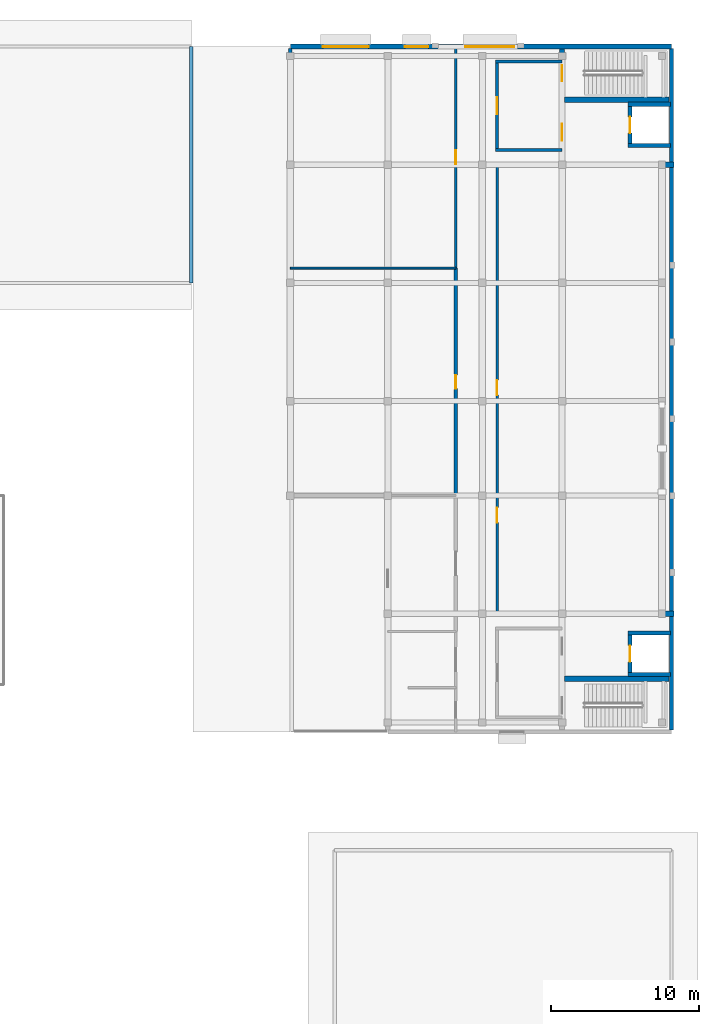
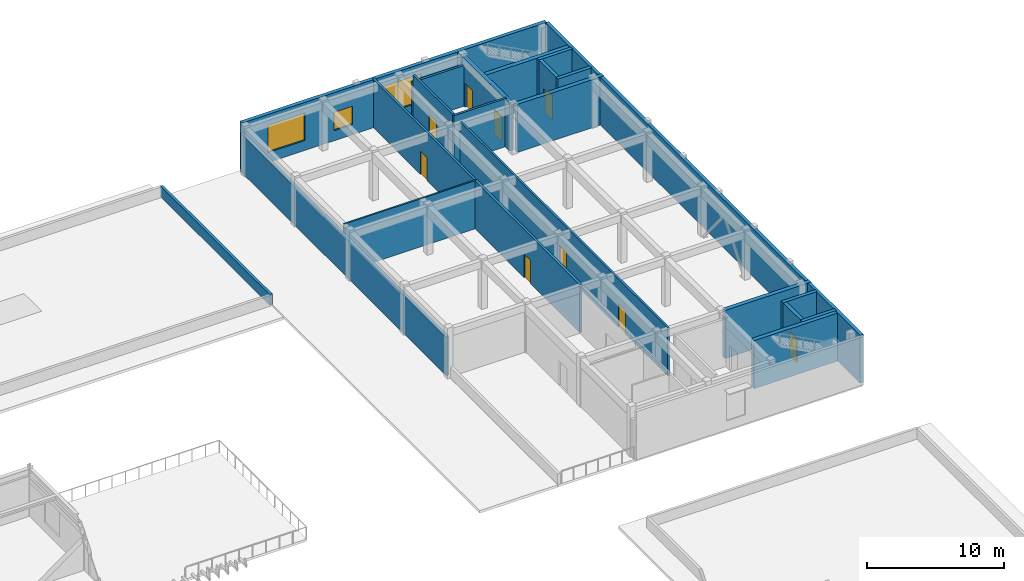
# One storey, part 31 of 45: 22 walls, 9 doors, 3 windows, 12 openings.
"""IFC4 building model written with IfcOpenShell, lengths in metres."""

from ifc_helpers import new_model, si_unit, direction, frame, frame_2d, origin, place, context, subcontext, project, spatial, rectangle, extrude, material, layer, layer_set, type_object, element, fill, save


model = new_model("IFC4")

# Units and contexts
model_context = context("Model", 3, precision=1e-05, world=origin(), true_north=direction((0.0, 1.0)))
body_context = subcontext(model_context, "Body", "Model", "MODEL_VIEW")
ifc_project = project(units=[si_unit("LENGTHUNIT", "METRE"), si_unit("AREAUNIT", "SQUARE_METRE"), si_unit("VOLUMEUNIT", "CUBIC_METRE"), si_unit("PLANEANGLEUNIT", "RADIAN"), si_unit("MASSUNIT", "GRAM", prefix="KILO")], contexts=[model_context])

# Site, building, storey
site_placement = place(None, origin())
site = spatial("IfcSite", under=ifc_project, at=site_placement, CompositionType="ELEMENT")
building_placement = place(site_placement, origin())
building = spatial("IfcBuilding", under=site, at=building_placement, Name="Cinchona Park Media Centre", CompositionType="ELEMENT")
storey_placement = place(building_placement, frame((0.0, 0.0, 20.39990234375)))
storey = spatial("IfcBuildingStorey", under=building, at=storey_placement, Name="L04", CompositionType="ELEMENT", Elevation=20.39990234375)

# Wall, opening, door
ifc_material_1 = material(Name="Acoustic Double-Stud Gypsum Partition", Category="gypsum")
ifc_layer_1 = layer(ifc_material_1, 0.2099609375)
ifc_layer_set_1 = layer_set([ifc_layer_1], Name="Acoustic Double-Stud Gypsum Partition")
wall_type_1 = type_object("IfcWallType", Name="WALL-W-AC210", PredefinedType="PARTITIONING", material=ifc_layer_set_1)
wall_1_placement = place(storey_placement, frame((157.39990234375, 87.60009765625, 0.0), z_axis=(0.0, 0.0, 1.0), x_axis=(0.0, 1.0, 0.0)))
wall_1 = element("IfcWall", 1, at=wall_1_placement, inside=storey, type_object=wall_type_1, Name="Interior Wall W-AC210 L04", PredefinedType="PARTITIONING", context=body_context, shape_type="SweptSolid", body=[
    extrude(rectangle(XDim=15.39990234375, YDim=0.2099609375, at=frame_2d((7.699951171875, 0.0))), origin(), (0.0, 0.0, 1.0), 4.300048828125),
])
opening_1_placement = place(wall_1_placement, frame((7.239990234375, 0.0, 0.0)))
opening_1 = element("IfcOpeningElement", 2, at=opening_1_placement, cuts=wall_1, Name="Opening D347", PredefinedType="OPENING", context=body_context, shape_type="SweptSolid", body=[
    extrude(rectangle(XDim=0.919921875, YDim=2.10009765625, at=frame_2d((0.4599609375, 1.050048828125))), frame((0.0, 0.114990234375, 0.0), z_axis=(0.0, -1.0, 0.0), x_axis=(1.0, 0.0, 0.0)), (0.0, 0.0, 1.0), 0.22998046875),
])
ifc_material_2 = material(Name="Solid-Core Timber Acoustic Door", Category="wood")
door_type_1 = type_object("IfcDoorType", Name="DOOR-DT01", OperationType="NOTDEFINED", PredefinedType="DOOR", material=ifc_material_2)
door_1_placement = place(opening_1_placement, origin())
door_1 = element("IfcDoor", 3, at=door_1_placement, inside=storey, type_object=door_type_1, Name="Interior Door D347", OperationType="SINGLE_SWING_LEFT", OverallHeight=2.10009765625, OverallWidth=0.919921875, PredefinedType="DOOR", context=body_context, shape_type="SweptSolid", body=[
    extrude(rectangle(XDim=0.919921875, YDim=2.10009765625, at=frame_2d((0.4599609375, 1.050048828125))), frame((0.0, 0.02490234375, 0.0), z_axis=(0.0, -1.0, 0.0), x_axis=(1.0, 0.0, 0.0)), (0.0, 0.0, 1.0), 0.050048828125),
])
fill(opening_1, door_1)

# Walls
ifc_material_3 = material(Name="Concrete C40/50", Category="concrete")
ifc_layer_2 = layer(ifc_material_3, 0.35009765625)
ifc_layer_set_2 = layer_set([ifc_layer_2], Name="Concrete C40/50")
wall_type_2 = type_object("IfcWallType", Name="WALL-W-CR350", PredefinedType="SHEAR", material=ifc_layer_set_2)
wall_2_placement = place(storey_placement, frame((164.85205078125, 79.60009765625, 0.0), z_axis=(0.0, 0.0, 1.0), x_axis=(1.0, 0.0, 0.0)))
element("IfcWall", 4, at=wall_2_placement, inside=storey, type_object=wall_type_2, Name="Core Shear Wall W-CR350 L04", PredefinedType="SHEAR", context=body_context, shape_type="SweptSolid", body=[
    extrude(rectangle(XDim=7.322998046875, YDim=0.35009765625, at=frame_2d((3.66162109375, 0.0))), origin(), (0.0, 0.0, 1.0), 4.300048828125),
])
wall_3_placement = place(storey_placement, frame((164.77490234375, 75.199951171875, 0.0), z_axis=(0.0, 0.0, 1.0), x_axis=(1.0, 0.0, 0.0)))
element("IfcWall", 5, at=wall_3_placement, inside=storey, type_object=wall_type_2, Name="Core Shear Wall W-CR350 L04", PredefinedType="SHEAR", context=body_context, shape_type="SweptSolid", body=[
    extrude(rectangle(XDim=7.050048828125, YDim=0.35009765625, at=frame_2d((3.52490234375, 0.0))), origin(), (0.0, 0.0, 1.0), 4.300048828125),
])
wall_4_placement = place(storey_placement, frame((164.85205078125, 110.0, 0.0), z_axis=(0.0, 0.0, 1.0), x_axis=(1.0, 0.0, 0.0)))
element("IfcWall", 6, at=wall_4_placement, inside=storey, type_object=wall_type_2, Name="Core Shear Wall W-CR350 L04", PredefinedType="SHEAR", context=body_context, shape_type="SweptSolid", body=[
    extrude(rectangle(XDim=7.322998046875, YDim=0.35009765625, at=frame_2d((3.66162109375, 0.0))), origin(), (0.0, 0.0, 1.0), 4.300048828125),
])

# Wall, openings, doors
wall_5_placement = place(storey_placement, frame((164.60009765625, 110.251953125, 0.0), z_axis=(0.0, 0.0, 1.0), x_axis=(0.0, 1.0, 0.0)))
wall_5 = element("IfcWall", 7, at=wall_5_placement, inside=storey, type_object=wall_type_2, Name="Core Shear Wall W-CR350 L04", PredefinedType="SHEAR", context=body_context, shape_type="SweptSolid", body=[
    extrude(rectangle(XDim=7.572998046875, YDim=0.35009765625, at=frame_2d((3.78662109375, 0.0))), origin(), (0.0, 0.0, 1.0), 4.300048828125),
])
opening_2_placement = place(wall_5_placement, frame((5.39794921875, 0.0, 0.0)))
opening_2 = element("IfcOpeningElement", 8, at=opening_2_placement, cuts=wall_5, Name="Opening D109", PredefinedType="OPENING", context=body_context, shape_type="SweptSolid", body=[
    extrude(rectangle(XDim=1.10009765625, YDim=2.14990234375, at=frame_2d((0.550048828125, 1.074951171875))), frame((0.0, 0.18505859375, 0.0), z_axis=(0.0, -1.0, 0.0), x_axis=(1.0, 0.0, 0.0)), (0.0, 0.0, 1.0), 0.3701171875),
])
opening_3_placement = place(wall_5_placement, frame((1.373046875, 0.0, 0.0)))
opening_3 = element("IfcOpeningElement", 9, at=opening_3_placement, cuts=wall_5, Name="Opening D110", PredefinedType="OPENING", context=body_context, shape_type="SweptSolid", body=[
    extrude(rectangle(XDim=1.14990234375, YDim=2.199951171875, at=frame_2d((0.574951171875, 1.10009765625))), frame((0.0, 0.18505859375, 0.0), z_axis=(0.0, -1.0, 0.0), x_axis=(1.0, 0.0, 0.0)), (0.0, 0.0, 1.0), 0.3701171875),
])
ifc_material_4 = material(Name="Insulated Fire-Rated Steel Door", Category="steel")
door_type_2 = type_object("IfcDoorType", Name="DOOR-DT-FF", OperationType="NOTDEFINED", PredefinedType="DOOR", material=ifc_material_4)
door_2_placement = place(opening_3_placement, origin())
door_2 = element("IfcDoor", 10, at=door_2_placement, inside=storey, type_object=door_type_2, Name="Interior Door D110", OperationType="SINGLE_SWING_RIGHT", OverallHeight=2.199951171875, OverallWidth=1.14990234375, PredefinedType="DOOR", context=body_context, shape_type="SweptSolid", body=[
    extrude(rectangle(XDim=1.14990234375, YDim=2.199951171875, at=frame_2d((0.574951171875, 1.10009765625))), frame((0.0, 0.02490234375, 0.0), z_axis=(0.0, -1.0, 0.0), x_axis=(1.0, 0.0, 0.0)), (0.0, 0.0, 1.0), 0.050048828125),
])
fill(opening_3, door_2)
ifc_material_5 = material(Name="Insulated Fire-Rated Steel Door", Category="steel")
door_type_3 = type_object("IfcDoorType", Name="DOOR-DT-ST", OperationType="NOTDEFINED", PredefinedType="DOOR", material=ifc_material_5)
door_3_placement = place(opening_2_placement, origin())
door_3 = element("IfcDoor", 11, at=door_3_placement, inside=storey, type_object=door_type_3, Name="Interior Door D109", OperationType="SINGLE_SWING_LEFT", OverallHeight=2.14990234375, OverallWidth=1.10009765625, PredefinedType="DOOR", context=body_context, shape_type="SweptSolid", body=[
    extrude(rectangle(XDim=1.10009765625, YDim=2.14990234375, at=frame_2d((0.550048828125, 1.074951171875))), frame((0.0, 0.02490234375, 0.0), z_axis=(0.0, -1.0, 0.0), x_axis=(1.0, 0.0, 0.0)), (0.0, 0.0, 1.0), 0.050048828125),
])
fill(opening_2, door_3)

# Wall
wall_6_placement = place(storey_placement, frame((164.77490234375, 114.39990234375, 0.0), z_axis=(0.0, 0.0, 1.0), x_axis=(1.0, 0.0, 0.0)))
element("IfcWall", 12, at=wall_6_placement, inside=storey, type_object=wall_type_2, Name="Core Shear Wall W-CR350 L04", PredefinedType="SHEAR", context=body_context, shape_type="SweptSolid", body=[
    extrude(rectangle(XDim=7.050048828125, YDim=0.35009765625, at=frame_2d((3.52490234375, 0.0))), origin(), (0.0, 0.0, 1.0), 4.300048828125),
])

# Wall, openings, windows
ifc_material_6 = material(Name="Precast concrete C40/50", Category="concrete")
ifc_layer_3 = layer(ifc_material_6, 0.320068359375)
ifc_layer_set_3 = layer_set([ifc_layer_3], Name="Precast concrete C40/50")
wall_type_3 = type_object("IfcWallType", Name="WALL-W-EX02", PredefinedType="SOLIDWALL", material=ifc_layer_set_3)
wall_7_placement = place(storey_placement, frame((146.199951171875, 118.0, 0.0), z_axis=(0.0, 0.0, 1.0), x_axis=(1.0, 0.0, 0.0)))
wall_7 = element("IfcWall", 13, at=wall_7_placement, inside=storey, type_object=wall_type_3, Name="Exterior Wall W-EX02 V7 L04", PredefinedType="SOLIDWALL", context=body_context, shape_type="SweptSolid", body=[
    extrude(rectangle(XDim=25.800048828125, YDim=0.320068359375, at=frame_2d((12.89990234375, 0.0))), origin(), (0.0, 0.0, 1.0), 4.300048828125),
])
opening_4_placement = place(wall_7_placement, frame((2.199951171875, 0.0, 0.89990234375)))
opening_4 = element("IfcOpeningElement", 14, at=opening_4_placement, cuts=wall_7, Name="Opening WN18", PredefinedType="OPENING", context=body_context, shape_type="SweptSolid", body=[
    extrude(rectangle(XDim=3.10009765625, YDim=2.449951171875, at=frame_2d((1.550048828125, 1.22509765625))), frame((0.0, 0.169921875, 0.0), z_axis=(0.0, -1.0, 0.0), x_axis=(1.0, 0.0, 0.0)), (0.0, 0.0, 1.0), 0.340087890625),
])
opening_5_placement = place(wall_7_placement, frame((7.75, 0.0, 0.89990234375)))
opening_5 = element("IfcOpeningElement", 15, at=opening_5_placement, cuts=wall_7, Name="Opening WN25", PredefinedType="OPENING", context=body_context, shape_type="SweptSolid", body=[
    extrude(rectangle(XDim=1.60009765625, YDim=1.64990234375, at=frame_2d((0.800048828125, 0.824951171875))), frame((0.0, 0.169921875, 0.0), z_axis=(0.0, -1.0, 0.0), x_axis=(1.0, 0.0, 0.0)), (0.0, 0.0, 1.0), 0.340087890625),
])
opening_6_placement = place(wall_7_placement, frame((11.85009765625, 0.0, 0.89990234375)))
opening_6 = element("IfcOpeningElement", 16, at=opening_6_placement, cuts=wall_7, Name="Opening WN20", PredefinedType="OPENING", context=body_context, shape_type="SweptSolid", body=[
    extrude(rectangle(XDim=3.300048828125, YDim=2.5, at=frame_2d((1.64990234375, 1.25))), frame((0.0, 0.169921875, 0.0), z_axis=(0.0, -1.0, 0.0), x_axis=(1.0, 0.0, 0.0)), (0.0, 0.0, 1.0), 0.340087890625),
])
ifc_material_7 = material(Name="Thermally Broken Aluminium Solar-Control Window", Category="aluminium")
window_type_1 = type_object("IfcWindowType", Name="WIN-WN18", PartitioningType="SINGLE_PANEL", PredefinedType="WINDOW", material=ifc_material_7)
window_1_placement = place(opening_4_placement, origin())
window_1 = element("IfcWindow", 17, at=window_1_placement, inside=storey, type_object=window_type_1, Name="Window WN18 L04", OverallHeight=2.449951171875, OverallWidth=3.10009765625, PartitioningType="SINGLE_PANEL", PredefinedType="WINDOW", context=body_context, shape_type="SweptSolid", body=[
    extrude(rectangle(XDim=3.10009765625, YDim=2.449951171875, at=frame_2d((1.550048828125, 1.22509765625))), frame((0.0, 0.030029296875, 0.0), z_axis=(0.0, -1.0, 0.0), x_axis=(1.0, 0.0, 0.0)), (0.0, 0.0, 1.0), 0.06005859375),
])
fill(opening_4, window_1)
ifc_material_8 = material(Name="Thermally Broken Aluminium Solar-Control Window", Category="aluminium")
window_type_2 = type_object("IfcWindowType", Name="WIN-WN20", PartitioningType="SINGLE_PANEL", PredefinedType="WINDOW", material=ifc_material_8)
window_2_placement = place(opening_6_placement, origin())
window_2 = element("IfcWindow", 18, at=window_2_placement, inside=storey, type_object=window_type_2, Name="Window WN20 L04", OverallHeight=2.5, OverallWidth=3.300048828125, PartitioningType="SINGLE_PANEL", PredefinedType="WINDOW", context=body_context, shape_type="SweptSolid", body=[
    extrude(rectangle(XDim=3.300048828125, YDim=2.5, at=frame_2d((1.64990234375, 1.25))), frame((0.0, 0.030029296875, 0.0), z_axis=(0.0, -1.0, 0.0), x_axis=(1.0, 0.0, 0.0)), (0.0, 0.0, 1.0), 0.06005859375),
])
fill(opening_6, window_2)
ifc_material_9 = material(Name="Thermally Broken Aluminium Solar-Control Window", Category="aluminium")
window_type_3 = type_object("IfcWindowType", Name="WIN-WN25", PartitioningType="SINGLE_PANEL", PredefinedType="WINDOW", material=ifc_material_9)
window_3_placement = place(opening_5_placement, origin())
window_3 = element("IfcWindow", 19, at=window_3_placement, inside=storey, type_object=window_type_3, Name="Window WN25 L04", OverallHeight=1.64990234375, OverallWidth=1.60009765625, PartitioningType="SINGLE_PANEL", PredefinedType="WINDOW", context=body_context, shape_type="SweptSolid", body=[
    extrude(rectangle(XDim=1.60009765625, YDim=1.64990234375, at=frame_2d((0.800048828125, 0.824951171875))), frame((0.0, 0.030029296875, 0.0), z_axis=(0.0, -1.0, 0.0), x_axis=(1.0, 0.0, 0.0)), (0.0, 0.0, 1.0), 0.06005859375),
])
fill(opening_5, window_3)

# Walls
ifc_material_10 = material(Name="Precast concrete C40/50", Category="concrete")
ifc_layer_4 = layer(ifc_material_10, 0.27490234375)
ifc_layer_set_4 = layer_set([ifc_layer_4], Name="Precast concrete C40/50")
wall_type_4 = type_object("IfcWallType", Name="WALL-W-EX03", PredefinedType="SOLIDWALL", material=ifc_layer_set_4)
wall_8_placement = place(storey_placement, frame((172.0, 117.860107421875, 0.0), z_axis=(0.0, 0.0, 1.0), x_axis=(0.0, -1.0, 0.0)))
element("IfcWall", 20, at=wall_8_placement, inside=storey, type_object=wall_type_4, Name="Exterior Wall W-EX03 V7 L04", PredefinedType="SOLIDWALL", context=body_context, shape_type="SweptSolid", body=[
    extrude(rectangle(XDim=46.1201171875, YDim=0.27490234375, at=frame_2d((23.06005859375, 0.0))), origin(), (0.0, 0.0, 1.0), 4.300048828125),
])
ifc_material_11 = material(Name="Precast concrete C40/50", Category="concrete")
ifc_layer_5 = layer(ifc_material_11, 0.25)
ifc_layer_set_5 = layer_set([ifc_layer_5], Name="Precast concrete C40/50")
wall_type_5 = type_object("IfcWallType", Name="WALL-W-EX04", PredefinedType="SOLIDWALL", material=ifc_layer_set_5)
wall_9_placement = place(storey_placement, frame((146.199951171875, 87.739990234375, 0.0), z_axis=(0.0, 0.0, 1.0), x_axis=(0.0, 1.0, 0.0)))
element("IfcWall", 21, at=wall_9_placement, inside=storey, type_object=wall_type_5, Name="Exterior Wall W-EX04 V7 L04", PredefinedType="SOLIDWALL", context=body_context, shape_type="SweptSolid", body=[
    extrude(rectangle(XDim=30.1201171875, YDim=0.25, at=frame_2d((15.06005859375, 0.0))), origin(), (0.0, 0.0, 1.0), 3.4501953125),
])
ifc_material_12 = material(Name="Precast concrete C40/50", Category="concrete")
ifc_layer_6 = layer(ifc_material_12, 0.219970703125)
ifc_layer_set_6 = layer_set([ifc_layer_6], Name="Precast concrete C40/50")
wall_type_6 = type_object("IfcWallType", Name="WALL-W-PR01", PredefinedType="PARAPET", material=ifc_layer_set_6)
wall_10_placement = place(storey_placement, frame((139.5, 118.0, 0.0), z_axis=(0.0, 0.0, 1.0), x_axis=(0.0, -1.0, 0.0)))
element("IfcWall", 22, at=wall_10_placement, inside=storey, type_object=wall_type_6, Name="Roof Parapet Wall W-PR01 L04", PredefinedType="PARAPET", context=body_context, shape_type="SweptSolid", body=[
    extrude(rectangle(XDim=16.0, YDim=0.219970703125, at=frame_2d((8.0, 0.0))), origin(), (0.0, 0.0, 1.0), 0.9501953125),
])
ifc_material_13 = material(Name="Gypsum Metal-Stud Partition", Category="gypsum")
ifc_layer_7 = layer(ifc_material_13, 0.135009765625)
ifc_layer_set_7 = layer_set([ifc_layer_7], Name="Gypsum Metal-Stud Partition")
wall_type_7 = type_object("IfcWallType", Name="WALL-W-PT135", PredefinedType="PARTITIONING", material=ifc_layer_set_7)
wall_11_placement = place(storey_placement, frame((146.199951171875, 103.0, 0.0), z_axis=(0.0, 0.0, 1.0), x_axis=(1.0, 0.0, 0.0)))
element("IfcWall", 23, at=wall_11_placement, inside=storey, type_object=wall_type_7, Name="Interior Wall W-PT135 L04", PredefinedType="PARTITIONING", context=body_context, shape_type="SweptSolid", body=[
    extrude(rectangle(XDim=11.199951171875, YDim=0.135009765625, at=frame_2d((5.60009765625, 0.0))), origin(), (0.0, 0.0, 1.0), 4.300048828125),
])

# Wall, openings, doors
ifc_material_14 = material(Name="Fire-Rated Gypsum Stud Partition", Category="gypsum")
ifc_layer_8 = layer(ifc_material_14, 0.1650390625)
ifc_layer_set_8 = layer_set([ifc_layer_8], Name="Fire-Rated Gypsum Stud Partition")
wall_type_8 = type_object("IfcWallType", Name="WALL-W-PT165", PredefinedType="PARTITIONING", material=ifc_layer_set_8)
wall_12_placement = place(storey_placement, frame((160.199951171875, 110.0, 0.0), z_axis=(0.0, 0.0, 1.0), x_axis=(0.0, -1.0, 0.0)))
wall_12 = element("IfcWall", 24, at=wall_12_placement, inside=storey, type_object=wall_type_8, Name="Interior Wall W-PT165 L04", PredefinedType="PARTITIONING", context=body_context, shape_type="SweptSolid", body=[
    extrude(rectangle(XDim=30.39990234375, YDim=0.1650390625, at=frame_2d((15.199951171875, 0.0))), origin(), (0.0, 0.0, 1.0), 4.300048828125),
])
opening_7_placement = place(wall_12_placement, frame((14.580078125, 0.0, 0.0)))
opening_7 = element("IfcOpeningElement", 25, at=opening_7_placement, cuts=wall_12, Name="Opening D349", PredefinedType="OPENING", context=body_context, shape_type="SweptSolid", body=[
    extrude(rectangle(XDim=1.02001953125, YDim=2.10009765625, at=frame_2d((0.510009765625, 1.050048828125))), frame((0.0, 0.092529296875, 0.0), z_axis=(0.0, -1.0, 0.0), x_axis=(1.0, 0.0, 0.0)), (0.0, 0.0, 1.0), 0.18505859375),
])
opening_8_placement = place(wall_12_placement, frame((23.201904296875, 0.0, 0.0)))
opening_8 = element("IfcOpeningElement", 26, at=opening_8_placement, cuts=wall_12, Name="Opening D350", PredefinedType="OPENING", context=body_context, shape_type="SweptSolid", body=[
    extrude(rectangle(XDim=1.02001953125, YDim=2.10009765625, at=frame_2d((0.510009765625, 1.050048828125))), frame((0.0, 0.092529296875, 0.0), z_axis=(0.0, -1.0, 0.0), x_axis=(1.0, 0.0, 0.0)), (0.0, 0.0, 1.0), 0.18505859375),
])
ifc_material_15 = material(Name="Solid-Core Timber Acoustic Door", Category="wood")
door_type_4 = type_object("IfcDoorType", Name="DOOR-DT05", OperationType="NOTDEFINED", PredefinedType="DOOR", material=ifc_material_15)
door_4_placement = place(opening_7_placement, origin())
door_4 = element("IfcDoor", 27, at=door_4_placement, inside=storey, type_object=door_type_4, Name="Interior Door D349", OperationType="SINGLE_SWING_LEFT", OverallHeight=2.10009765625, OverallWidth=1.02001953125, PredefinedType="DOOR", context=body_context, shape_type="SweptSolid", body=[
    extrude(rectangle(XDim=1.02001953125, YDim=2.10009765625, at=frame_2d((0.510009765625, 1.050048828125))), frame((0.0, 0.02490234375, 0.0), z_axis=(0.0, -1.0, 0.0), x_axis=(1.0, 0.0, 0.0)), (0.0, 0.0, 1.0), 0.050048828125),
])
fill(opening_7, door_4)
door_5_placement = place(opening_8_placement, origin())
door_5 = element("IfcDoor", 28, at=door_5_placement, inside=storey, type_object=door_type_4, Name="Interior Door D350", OperationType="SINGLE_SWING_RIGHT", OverallHeight=2.10009765625, OverallWidth=1.02001953125, PredefinedType="DOOR", context=body_context, shape_type="SweptSolid", body=[
    extrude(rectangle(XDim=1.02001953125, YDim=2.10009765625, at=frame_2d((0.510009765625, 1.050048828125))), frame((0.0, 0.02490234375, 0.0), z_axis=(0.0, -1.0, 0.0), x_axis=(1.0, 0.0, 0.0)), (0.0, 0.0, 1.0), 0.050048828125),
])
fill(opening_8, door_5)

# Walls
ifc_material_16 = material(Name="Fire-Rated Gypsum Stud Partition", Category="gypsum")
ifc_layer_9 = layer(ifc_material_16, 0.18994140625)
ifc_layer_set_9 = layer_set([ifc_layer_9], Name="Fire-Rated Gypsum Stud Partition")
wall_type_9 = type_object("IfcWallType", Name="WALL-W-PT190", PredefinedType="PARTITIONING", material=ifc_layer_set_9)
wall_13_placement = place(storey_placement, frame((160.10498046875, 111.0, 0.0), z_axis=(0.0, 0.0, 1.0), x_axis=(1.0, 0.0, 0.0)))
element("IfcWall", 29, at=wall_13_placement, inside=storey, type_object=wall_type_9, Name="Interior Wall W-PT190 L04", PredefinedType="PARTITIONING", context=body_context, shape_type="SweptSolid", body=[
    extrude(rectangle(XDim=4.4951171875, YDim=0.18994140625, at=frame_2d((2.24755859375, 0.0))), origin(), (0.0, 0.0, 1.0), 4.300048828125),
])
wall_14_placement = place(storey_placement, frame((160.10498046875, 117.0, 0.0), z_axis=(0.0, 0.0, 1.0), x_axis=(1.0, 0.0, 0.0)))
element("IfcWall", 30, at=wall_14_placement, inside=storey, type_object=wall_type_9, Name="Interior Wall W-PT190 L04", PredefinedType="PARTITIONING", context=body_context, shape_type="SweptSolid", body=[
    extrude(rectangle(XDim=4.4951171875, YDim=0.18994140625, at=frame_2d((2.24755859375, 0.0))), origin(), (0.0, 0.0, 1.0), 3.650146484375),
])

# Wall, opening, door
wall_15_placement = place(storey_placement, frame((160.199951171875, 111.094970703125, 0.0), z_axis=(0.0, 0.0, 1.0), x_axis=(0.0, 1.0, 0.0)))
wall_15 = element("IfcWall", 31, at=wall_15_placement, inside=storey, type_object=wall_type_9, Name="Interior Wall W-PT190 L04", PredefinedType="PARTITIONING", context=body_context, shape_type="SweptSolid", body=[
    extrude(rectangle(XDim=5.81005859375, YDim=0.18994140625, at=frame_2d((2.905029296875, 0.0))), origin(), (0.0, 0.0, 1.0), 4.300048828125),
])
opening_9_placement = place(wall_15_placement, frame((2.330078125, 0.0, 0.0)))
opening_9 = element("IfcOpeningElement", 32, at=opening_9_placement, cuts=wall_15, Name="Opening D111", PredefinedType="OPENING", context=body_context, shape_type="SweptSolid", body=[
    extrude(rectangle(XDim=1.14990234375, YDim=2.199951171875, at=frame_2d((0.574951171875, 1.10009765625))), frame((0.0, 0.10498046875, 0.0), z_axis=(0.0, -1.0, 0.0), x_axis=(1.0, 0.0, 0.0)), (0.0, 0.0, 1.0), 0.2099609375),
])
door_6_placement = place(opening_9_placement, origin())
door_6 = element("IfcDoor", 33, at=door_6_placement, inside=storey, type_object=door_type_2, Name="Interior Door D111", OperationType="SINGLE_SWING_LEFT", OverallHeight=2.199951171875, OverallWidth=1.14990234375, PredefinedType="DOOR", context=body_context, shape_type="SweptSolid", body=[
    extrude(rectangle(XDim=1.14990234375, YDim=2.199951171875, at=frame_2d((0.574951171875, 1.10009765625))), frame((0.0, 0.02490234375, 0.0), z_axis=(0.0, -1.0, 0.0), x_axis=(1.0, 0.0, 0.0)), (0.0, 0.0, 1.0), 0.050048828125),
])
fill(opening_9, door_6)

wall_16_placement = place(storey_placement, frame((157.39990234375, 103.0, 0.0), z_axis=(0.0, 0.0, 1.0), x_axis=(0.0, 1.0, 0.0)))
wall_16 = element("IfcWall", 34, at=wall_16_placement, inside=storey, type_object=wall_type_9, Name="Interior Wall W-PT190 L04", PredefinedType="PARTITIONING", context=body_context, shape_type="SweptSolid", body=[
    extrude(rectangle(XDim=15.0, YDim=0.18994140625, at=frame_2d((7.5, 0.0))), origin(), (0.0, 0.0, 1.0), 4.300048828125),
])
opening_10_placement = place(wall_16_placement, frame((7.02490234375, 0.0, 0.0)))
opening_10 = element("IfcOpeningElement", 35, at=opening_10_placement, cuts=wall_16, Name="Opening D348", PredefinedType="OPENING", context=body_context, shape_type="SweptSolid", body=[
    extrude(rectangle(XDim=0.949951171875, YDim=2.10009765625, at=frame_2d((0.47509765625, 1.050048828125))), frame((0.0, 0.10498046875, 0.0), z_axis=(0.0, -1.0, 0.0), x_axis=(1.0, 0.0, 0.0)), (0.0, 0.0, 1.0), 0.2099609375),
])
ifc_material_17 = material(Name="Solid-Core Timber Acoustic Door", Category="wood")
door_type_5 = type_object("IfcDoorType", Name="DOOR-DT02", OperationType="NOTDEFINED", PredefinedType="DOOR", material=ifc_material_17)
door_7_placement = place(opening_10_placement, origin())
door_7 = element("IfcDoor", 36, at=door_7_placement, inside=storey, type_object=door_type_5, Name="Interior Door D348", OperationType="SINGLE_SWING_RIGHT", OverallHeight=2.10009765625, OverallWidth=0.949951171875, PredefinedType="DOOR", context=body_context, shape_type="SweptSolid", body=[
    extrude(rectangle(XDim=0.949951171875, YDim=2.10009765625, at=frame_2d((0.47509765625, 1.050048828125))), frame((0.0, 0.02490234375, 0.0), z_axis=(0.0, -1.0, 0.0), x_axis=(1.0, 0.0, 0.0)), (0.0, 0.0, 1.0), 0.050048828125),
])
fill(opening_10, door_7)

# Walls
ifc_material_18 = material(Name="Concrete C40/50", Category="concrete")
ifc_layer_10 = layer(ifc_material_18, 0.2900390625)
ifc_layer_set_10 = layer_set([ifc_layer_10], Name="Concrete C40/50")
wall_type_10 = type_object("IfcWallType", Name="WALL-W-SH290", PredefinedType="SHEAR", material=ifc_layer_set_10)
for number, where, z_axis, x_axis, name in (
    (37, (169.054931640625, 75.5, 0.0), (0.0, 0.0, 1.0), (1.0, 0.0, 0.0), "Core Shear Wall W-SH290 L04"),
    (38, (169.054931640625, 78.300048828125, 0.0), (0.0, 0.0, 1.0), (1.0, 0.0, 0.0), "Core Shear Wall W-SH290 L04"),
):
    element("IfcWall", number, at=place(storey_placement, frame(where, z_axis=z_axis, x_axis=x_axis)), inside=storey, type_object=wall_type_10, Name=name, PredefinedType="SHEAR", context=body_context, shape_type="SweptSolid", body=[
        extrude(rectangle(XDim=2.89013671875, YDim=0.2900390625, at=frame_2d((1.445068359375, 0.0))), origin(), (0.0, 0.0, 1.0), 4.300048828125),
    ])

# Wall, opening, door
wall_17_placement = place(storey_placement, frame((169.199951171875, 75.64501953125, 0.0), z_axis=(0.0, 0.0, 1.0), x_axis=(0.0, 1.0, 0.0)))
wall_17 = element("IfcWall", 39, at=wall_17_placement, inside=storey, type_object=wall_type_10, Name="Core Shear Wall W-SH290 L04", PredefinedType="SHEAR", context=body_context, shape_type="SweptSolid", body=[
    extrude(rectangle(XDim=2.510009765625, YDim=0.2900390625, at=frame_2d((1.2548828125, 0.0))), origin(), (0.0, 0.0, 1.0), 4.300048828125),
])
opening_11_placement = place(wall_17_placement, frame((0.705078125, 0.0, 0.0)))
opening_11 = element("IfcOpeningElement", 40, at=opening_11_placement, cuts=wall_17, Name="Opening LD36", PredefinedType="OPENING", context=body_context, shape_type="SweptSolid", body=[
    extrude(rectangle(XDim=1.10009765625, YDim=2.14990234375, at=frame_2d((0.550048828125, 1.074951171875))), frame((0.0, 0.155029296875, 0.0), z_axis=(0.0, -1.0, 0.0), x_axis=(1.0, 0.0, 0.0)), (0.0, 0.0, 1.0), 0.31005859375),
])
ifc_material_19 = material(Name="Stainless Steel Sliding Lift Landing Door", Category="steel")
door_type_6 = type_object("IfcDoorType", Name="DOOR-DT-LD1", OperationType="NOTDEFINED", PredefinedType="DOOR", material=ifc_material_19)
door_8_placement = place(opening_11_placement, origin())
door_8 = element("IfcDoor", 41, at=door_8_placement, inside=storey, type_object=door_type_6, Name="Lift Landing Door LD36", OperationType="SLIDING_TO_LEFT", OverallHeight=2.14990234375, OverallWidth=1.10009765625, PredefinedType="DOOR", context=body_context, shape_type="SweptSolid", body=[
    extrude(rectangle(XDim=1.10009765625, YDim=2.14990234375, at=frame_2d((0.550048828125, 1.074951171875))), frame((0.0, 0.02490234375, 0.0), z_axis=(0.0, -1.0, 0.0), x_axis=(1.0, 0.0, 0.0)), (0.0, 0.0, 1.0), 0.050048828125),
])
fill(opening_11, door_8)

# Walls
for number, where, z_axis, x_axis, name in (
    (42, (169.054931640625, 111.300048828125, 0.0), (0.0, 0.0, 1.0), (1.0, 0.0, 0.0), "Core Shear Wall W-SH290 L04"),
    (43, (169.054931640625, 114.10009765625, 0.0), (0.0, 0.0, 1.0), (1.0, 0.0, 0.0), "Core Shear Wall W-SH290 L04"),
):
    element("IfcWall", number, at=place(storey_placement, frame(where, z_axis=z_axis, x_axis=x_axis)), inside=storey, type_object=wall_type_10, Name=name, PredefinedType="SHEAR", context=body_context, shape_type="SweptSolid", body=[
        extrude(rectangle(XDim=2.89013671875, YDim=0.2900390625, at=frame_2d((1.445068359375, 0.0))), origin(), (0.0, 0.0, 1.0), 4.300048828125),
    ])

# Wall, opening, door
wall_18_placement = place(storey_placement, frame((169.199951171875, 111.445068359375, 0.0), z_axis=(0.0, 0.0, 1.0), x_axis=(0.0, 1.0, 0.0)))
wall_18 = element("IfcWall", 44, at=wall_18_placement, inside=storey, type_object=wall_type_10, Name="Core Shear Wall W-SH290 L04", PredefinedType="SHEAR", context=body_context, shape_type="SweptSolid", body=[
    extrude(rectangle(XDim=2.510009765625, YDim=0.2900390625, at=frame_2d((1.2548828125, 0.0))), origin(), (0.0, 0.0, 1.0), 4.300048828125),
])
opening_12_placement = place(wall_18_placement, frame((0.705078125, 0.0, 0.0)))
opening_12 = element("IfcOpeningElement", 45, at=opening_12_placement, cuts=wall_18, Name="Opening LD37", PredefinedType="OPENING", context=body_context, shape_type="SweptSolid", body=[
    extrude(rectangle(XDim=1.10009765625, YDim=2.14990234375, at=frame_2d((0.550048828125, 1.074951171875))), frame((0.0, 0.155029296875, 0.0), z_axis=(0.0, -1.0, 0.0), x_axis=(1.0, 0.0, 0.0)), (0.0, 0.0, 1.0), 0.31005859375),
])
door_9_placement = place(opening_12_placement, origin())
door_9 = element("IfcDoor", 46, at=door_9_placement, inside=storey, type_object=door_type_6, Name="Lift Landing Door LD37", OperationType="SLIDING_TO_LEFT", OverallHeight=2.14990234375, OverallWidth=1.10009765625, PredefinedType="DOOR", context=body_context, shape_type="SweptSolid", body=[
    extrude(rectangle(XDim=1.10009765625, YDim=2.14990234375, at=frame_2d((0.550048828125, 1.074951171875))), frame((0.0, 0.02490234375, 0.0), z_axis=(0.0, -1.0, 0.0), x_axis=(1.0, 0.0, 0.0)), (0.0, 0.0, 1.0), 0.050048828125),
])
fill(opening_12, door_9)

save(model, "model.ifc")
